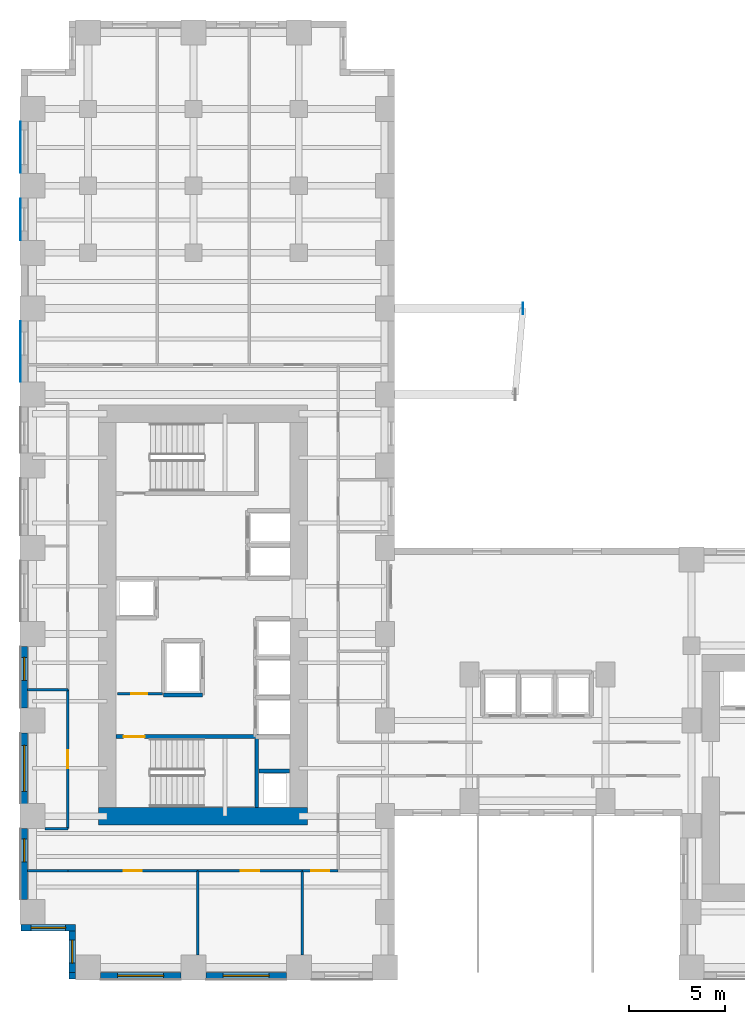
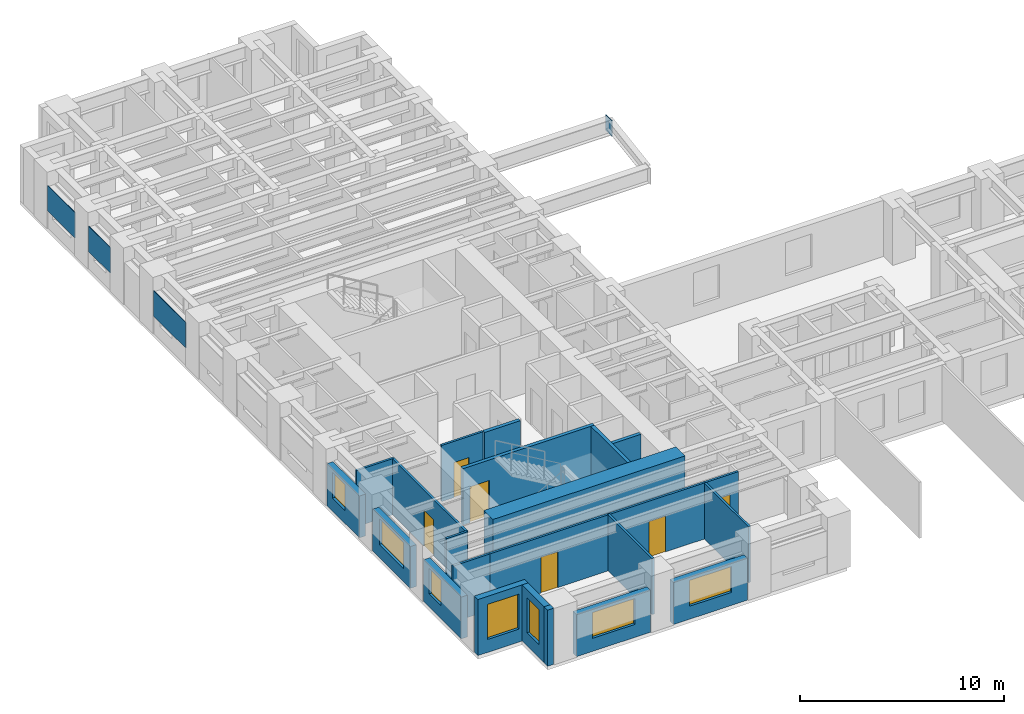
# One storey, part 6 of 14: 23 walls, 7 windows, 6 doors, 4 plates, 13 openings.
"""IFC4 building model written with IfcOpenShell, lengths in metres."""

from ifc_helpers import new_model, si_unit, direction, frame, frame_2d, origin, origin_2d, place, context, subcontext, project, spatial, rectangle, extrude, source, transform, mapped, material, layer, layer_set, type_object, element, fill, save


model = new_model("IFC4")

# Units and contexts
model_context = context("Model", 3, precision=1e-05, world=origin(), true_north=direction((0.0, 1.0)))
body_context = subcontext(model_context, "Body", "Model", "MODEL_VIEW")
ifc_project = project(units=[si_unit("LENGTHUNIT", "METRE"), si_unit("AREAUNIT", "SQUARE_METRE"), si_unit("VOLUMEUNIT", "CUBIC_METRE"), si_unit("PLANEANGLEUNIT", "RADIAN"), si_unit("MASSUNIT", "GRAM", prefix="KILO")], contexts=[model_context])

# Site, building, storey
site_placement = place(None, origin())
site = spatial("IfcSite", under=ifc_project, at=site_placement, CompositionType="ELEMENT")
building_placement = place(site_placement, origin())
building = spatial("IfcBuilding", under=site, at=building_placement, Name="Kharzan Plaza Tower", CompositionType="ELEMENT")
storey_placement = place(building_placement, frame((0.0, 0.0, 36.89990234375)))
storey = spatial("IfcBuildingStorey", under=building, at=storey_placement, Name="L09", CompositionType="ELEMENT", Elevation=36.89990234375)

# Plates
ifc_material_1 = material(Name="Steel S460", Category="steel")
ifc_layer_1 = layer(ifc_material_1, 0.0419921875)
ifc_layer_set_1 = layer_set([ifc_layer_1], Name="Steel S460")
plate_type_1 = type_object("IfcPlateType", Name="PLT-ZTN1", PredefinedType="USERDEFINED", material=ifc_layer_set_1)
shared_shape_1 = source(origin(), body_context, "Body", "SweptSolid", [
    extrude(rectangle(XDim=0.60009765625, YDim=0.0419921875, at=origin_2d()), origin(), (0.0, 0.0, 1.0), 0.949951171875),
])
plate_1_placement = place(storey_placement, frame((26.199951171875, 35.0, 2.4365234375), z_axis=(0.0, 0.0, 1.0), x_axis=(0.0, 1.0, 0.0)))
element("IfcPlate", 1, at=plate_1_placement, inside=storey, type_object=plate_type_1, Name="L09 Sky-Terrace Cantilever Tip Plate ZTN1", ObjectType="FLANGE_PLATE", PredefinedType="USERDEFINED", context=body_context, shape_type="MappedRepresentation", body=[
    mapped(shared_shape_1, transform((0.0, 0.0, 0.0), x_axis=(1.0, 0.0, 0.0), y_axis=(0.0, 1.0, 0.0), z_axis=(0.0, 0.0, 1.0))),
])
ifc_material_2 = material(Name="Perforated Bronze-Anodized Aluminium", Category="aluminium")
ifc_layer_2 = layer(ifc_material_2, 0.030029296875)
ifc_layer_set_2 = layer_set([ifc_layer_2], Name="Perforated Bronze-Anodized Aluminium")
plate_type_2 = type_object("IfcPlateType", Name="PLT-MASH-SCREEN", PredefinedType="SHEET", material=ifc_layer_set_2)
shared_shape_2 = source(origin(), body_context, "Body", "SweptSolid", [
    extrude(rectangle(XDim=2.6640625, YDim=0.030029296875, at=origin_2d()), origin(), (0.0, 0.0, 1.0), 1.530029296875),
])
plate_2_placement = place(storey_placement, frame((-0.012939453125, 43.39990234375, 1.06494140625), z_axis=(0.0, 0.0, 1.0), x_axis=(0.0, -1.0, 0.0)))
element("IfcPlate", 2, at=plate_2_placement, inside=storey, type_object=plate_type_2, Name="L09 Perforated Mashrabiya Solar Screen", PredefinedType="SHEET", context=body_context, shape_type="MappedRepresentation", body=[
    mapped(shared_shape_2, transform((0.0, 0.0, 0.0), x_axis=(1.0, 0.0, 0.0), y_axis=(0.0, 1.0, 0.0), z_axis=(0.0, 0.0, 1.0))),
])
shared_shape_3 = source(origin(), body_context, "Body", "SweptSolid", [
    extrude(rectangle(XDim=2.1640625, YDim=0.030029296875, at=origin_2d()), origin(), (0.0, 0.0, 1.0), 1.530029296875),
])
plate_3_placement = place(storey_placement, frame((-0.012939453125, 39.64990234375, 1.06494140625), z_axis=(0.0, 0.0, 1.0), x_axis=(0.0, -1.0, 0.0)))
element("IfcPlate", 3, at=plate_3_placement, inside=storey, type_object=plate_type_2, Name="L09 Perforated Mashrabiya Solar Screen", PredefinedType="SHEET", context=body_context, shape_type="MappedRepresentation", body=[
    mapped(shared_shape_3, transform((0.0, 0.0, 0.0), x_axis=(1.0, 0.0, 0.0), y_axis=(0.0, 1.0, 0.0), z_axis=(0.0, 0.0, 1.0))),
])
shared_shape_4 = source(origin(), body_context, "Body", "SweptSolid", [
    extrude(rectangle(XDim=3.1640625, YDim=0.030029296875, at=origin_2d()), origin(), (0.0, 0.0, 1.0), 1.530029296875),
])
plate_4_placement = place(storey_placement, frame((-0.012939453125, 32.75, 1.06494140625), z_axis=(0.0, 0.0, 1.0), x_axis=(0.0, -1.0, 0.0)))
element("IfcPlate", 4, at=plate_4_placement, inside=storey, type_object=plate_type_2, Name="L09 Perforated Mashrabiya Solar Screen", PredefinedType="SHEET", context=body_context, shape_type="MappedRepresentation", body=[
    mapped(shared_shape_4, transform((0.0, 0.0, 0.0), x_axis=(1.0, 0.0, 0.0), y_axis=(0.0, 1.0, 0.0), z_axis=(0.0, 0.0, 1.0))),
])

# Wall, opening, window
ifc_material_3 = material(Name="Concrete C40/50", Category="concrete")
ifc_layer_3 = layer(ifc_material_3, 0.35009765625)
ifc_layer_set_3 = layer_set([ifc_layer_3], Name="Concrete C40/50")
wall_type_1 = type_object("IfcWallType", Name="WL-EXT-MAS-Z1", PredefinedType="SOLIDWALL", material=ifc_layer_set_3)
wall_1_placement = place(storey_placement, frame((0.175048828125, 17.35205078125, 0.0), z_axis=(0.0, 0.0, 1.0), x_axis=(0.0, -1.0, 0.0)))
wall_1 = element("IfcWall", 5, at=wall_1_placement, inside=storey, type_object=wall_type_1, Name="L09 Masonry-Frame Exterior Wall 17", PredefinedType="SOLIDWALL", context=body_context, shape_type="SweptSolid", body=[
    extrude(rectangle(XDim=3.2041015625, YDim=0.35009765625, at=frame_2d((1.60205078125, 0.0))), origin(), (0.0, 0.0, 1.0), 2.510009765625),
])
opening_1_placement = place(wall_1_placement, frame((0.56103515625, 0.0, 0.780029296875)))
opening_1 = element("IfcOpeningElement", 6, at=opening_1_placement, cuts=wall_1, Name="Opening W3", PredefinedType="OPENING", context=body_context, shape_type="SweptSolid", body=[
    extrude(rectangle(XDim=1.199951171875, YDim=1.550048828125, at=frame_2d((0.60009765625, 0.77490234375))), frame((0.0, 0.18505859375, 0.0), z_axis=(0.0, -1.0, 0.0), x_axis=(1.0, 0.0, 0.0)), (0.0, 0.0, 1.0), 0.3701171875),
])
ifc_material_4 = material(Name="Low-E Double Glazing", Category="glass")
window_type_1 = type_object("IfcWindowType", Name="WN-REC-1200x2100", PartitioningType="SINGLE_PANEL", PredefinedType="WINDOW", material=ifc_material_4)
shared_shape_5 = source(origin(), body_context, "Body", "SweptSolid", [
    extrude(rectangle(XDim=1.199951171875, YDim=1.550048828125, at=frame_2d((0.60009765625, 0.77490234375))), frame((0.0, 0.030029296875, 0.0), z_axis=(0.0, -1.0, 0.0), x_axis=(1.0, 0.0, 0.0)), (0.0, 0.0, 1.0), 0.06005859375),
])
window_1_placement = place(opening_1_placement, origin())
window_1 = element("IfcWindow", 7, at=window_1_placement, inside=storey, type_object=window_type_1, Name="L09 Recessed Solar-Control Window 17-1", OverallHeight=1.550048828125, OverallWidth=1.199951171875, PartitioningType="SINGLE_PANEL", PredefinedType="WINDOW", context=body_context, shape_type="MappedRepresentation", body=[
    mapped(shared_shape_5, transform((0.0, 0.0, 0.0), x_axis=(1.0, 0.0, 0.0), y_axis=(0.0, 1.0, 0.0), z_axis=(0.0, 0.0, 1.0))),
])
fill(opening_1, window_1)

wall_2_placement = place(storey_placement, frame((0.175048828125, 12.85205078125, 0.0), z_axis=(0.0, 0.0, 1.0), x_axis=(0.0, -1.0, 0.0)))
wall_2 = element("IfcWall", 8, at=wall_2_placement, inside=storey, type_object=wall_type_1, Name="L09 Masonry-Frame Exterior Wall 18", PredefinedType="SOLIDWALL", context=body_context, shape_type="SweptSolid", body=[
    extrude(rectangle(XDim=3.7041015625, YDim=0.35009765625, at=frame_2d((1.85205078125, 0.0))), origin(), (0.0, 0.0, 1.0), 2.510009765625),
])
opening_2_placement = place(wall_2_placement, frame((0.652099609375, 0.0, 0.780029296875)))
opening_2 = element("IfcOpeningElement", 9, at=opening_2_placement, cuts=wall_2, Name="Opening W2", PredefinedType="OPENING", context=body_context, shape_type="SweptSolid", body=[
    extrude(rectangle(XDim=2.39990234375, YDim=1.550048828125, at=frame_2d((1.199951171875, 0.77490234375))), frame((0.0, 0.18505859375, 0.0), z_axis=(0.0, -1.0, 0.0), x_axis=(1.0, 0.0, 0.0)), (0.0, 0.0, 1.0), 0.3701171875),
])
window_type_2 = type_object("IfcWindowType", Name="WN-REC-2400x2100", PartitioningType="SINGLE_PANEL", PredefinedType="WINDOW", material=ifc_material_4)
shared_shape_6 = source(origin(), body_context, "Body", "SweptSolid", [
    extrude(rectangle(XDim=2.39990234375, YDim=1.550048828125, at=frame_2d((1.199951171875, 0.77490234375))), frame((0.0, 0.030029296875, 0.0), z_axis=(0.0, -1.0, 0.0), x_axis=(1.0, 0.0, 0.0)), (0.0, 0.0, 1.0), 0.06005859375),
])
window_2_placement = place(opening_2_placement, origin())
window_2 = element("IfcWindow", 10, at=window_2_placement, inside=storey, type_object=window_type_2, Name="L09 Wide Recessed Solar-Control Window 18-1", OverallHeight=1.550048828125, OverallWidth=2.39990234375, PartitioningType="SINGLE_PANEL", PredefinedType="WINDOW", context=body_context, shape_type="MappedRepresentation", body=[
    mapped(shared_shape_6, transform((0.0, 0.0, 0.0), x_axis=(1.0, 0.0, 0.0), y_axis=(0.0, 1.0, 0.0), z_axis=(0.0, 0.0, 1.0))),
])
fill(opening_2, window_2)

wall_3_placement = place(storey_placement, frame((0.175048828125, 7.85205078125, 0.0), z_axis=(0.0, 0.0, 1.0), x_axis=(0.0, -1.0, 0.0)))
wall_3 = element("IfcWall", 11, at=wall_3_placement, inside=storey, type_object=wall_type_1, Name="L09 Masonry-Frame Exterior Wall 19", PredefinedType="SOLIDWALL", context=body_context, shape_type="SweptSolid", body=[
    extrude(rectangle(XDim=3.7041015625, YDim=0.35009765625, at=frame_2d((1.85205078125, 0.0))), origin(), (0.0, 0.0, 1.0), 2.510009765625),
])
opening_3_placement = place(wall_3_placement, frame((0.535888671875, 0.0, 0.780029296875)))
opening_3 = element("IfcOpeningElement", 12, at=opening_3_placement, cuts=wall_3, Name="Opening W3", PredefinedType="OPENING", context=body_context, shape_type="SweptSolid", body=[
    extrude(rectangle(XDim=1.199951171875, YDim=1.550048828125, at=frame_2d((0.60009765625, 0.77490234375))), frame((0.0, 0.18505859375, 0.0), z_axis=(0.0, -1.0, 0.0), x_axis=(1.0, 0.0, 0.0)), (0.0, 0.0, 1.0), 0.3701171875),
])
window_3_placement = place(opening_3_placement, origin())
window_3 = element("IfcWindow", 13, at=window_3_placement, inside=storey, type_object=window_type_1, Name="L09 Recessed Solar-Control Window 19-1", OverallHeight=1.550048828125, OverallWidth=1.199951171875, PartitioningType="SINGLE_PANEL", PredefinedType="WINDOW", context=body_context, shape_type="MappedRepresentation", body=[
    mapped(shared_shape_5, transform((0.0, 0.0, 0.0), x_axis=(1.0, 0.0, 0.0), y_axis=(0.0, 1.0, 0.0), z_axis=(0.0, 0.0, 1.0))),
])
fill(opening_3, window_3)

wall_4_placement = place(storey_placement, frame((0.0, 2.675048828125, 0.0), z_axis=(0.0, 0.0, 1.0), x_axis=(1.0, 0.0, 0.0)))
wall_4 = element("IfcWall", 14, at=wall_4_placement, inside=storey, type_object=wall_type_1, Name="L09 Masonry-Frame Exterior Wall 20", PredefinedType="SOLIDWALL", context=body_context, shape_type="SweptSolid", body=[
    extrude(rectangle(XDim=2.85009765625, YDim=0.35009765625, at=frame_2d((1.425048828125, 0.0))), origin(), (0.0, 0.0, 1.0), 3.364990234375),
])
opening_4_placement = place(wall_4_placement, frame((0.52490234375, 0.0, 0.780029296875)))
opening_4 = element("IfcOpeningElement", 15, at=opening_4_placement, cuts=wall_4, Name="Opening W1", PredefinedType="OPENING", context=body_context, shape_type="SweptSolid", body=[
    extrude(rectangle(XDim=1.800048828125, YDim=2.10009765625, at=frame_2d((0.89990234375, 1.050048828125))), frame((0.0, 0.18505859375, 0.0), z_axis=(0.0, -1.0, 0.0), x_axis=(1.0, 0.0, 0.0)), (0.0, 0.0, 1.0), 0.3701171875),
])
window_type_3 = type_object("IfcWindowType", Name="WN-REC-1800x2100", PartitioningType="SINGLE_PANEL", PredefinedType="WINDOW", material=ifc_material_4)
shared_shape_7 = source(origin(), body_context, "Body", "SweptSolid", [
    extrude(rectangle(XDim=1.800048828125, YDim=2.10009765625, at=frame_2d((0.89990234375, 1.050048828125))), frame((0.0, 0.030029296875, 0.0), z_axis=(0.0, -1.0, 0.0), x_axis=(1.0, 0.0, 0.0)), (0.0, 0.0, 1.0), 0.06005859375),
])
window_4_placement = place(opening_4_placement, origin())
window_4 = element("IfcWindow", 16, at=window_4_placement, inside=storey, type_object=window_type_3, Name="L09 Recessed Solar-Control Window 20-1", OverallHeight=2.10009765625, OverallWidth=1.800048828125, PartitioningType="SINGLE_PANEL", PredefinedType="WINDOW", context=body_context, shape_type="MappedRepresentation", body=[
    mapped(shared_shape_7, transform((0.0, 0.0, 0.0), x_axis=(1.0, 0.0, 0.0), y_axis=(0.0, 1.0, 0.0), z_axis=(0.0, 0.0, 1.0))),
])
fill(opening_4, window_4)

wall_5_placement = place(storey_placement, frame((2.675048828125, 2.501953125, 0.0), z_axis=(0.0, 0.0, 1.0), x_axis=(0.0, -1.0, 0.0)))
wall_5 = element("IfcWall", 17, at=wall_5_placement, inside=storey, type_object=wall_type_1, Name="L09 Masonry-Frame Exterior Wall 21", PredefinedType="SOLIDWALL", context=body_context, shape_type="SweptSolid", body=[
    extrude(rectangle(XDim=2.154052734375, YDim=0.35009765625, at=frame_2d((1.0771484375, 0.0))), origin(), (0.0, 0.0, 1.0), 3.364990234375),
])
opening_5_placement = place(wall_5_placement, frame((0.47705078125, 0.0, 0.780029296875)))
opening_5 = element("IfcOpeningElement", 18, at=opening_5_placement, cuts=wall_5, Name="Opening W3", PredefinedType="OPENING", context=body_context, shape_type="SweptSolid", body=[
    extrude(rectangle(XDim=1.199951171875, YDim=2.10009765625, at=frame_2d((0.60009765625, 1.050048828125))), frame((0.0, 0.18505859375, 0.0), z_axis=(0.0, -1.0, 0.0), x_axis=(1.0, 0.0, 0.0)), (0.0, 0.0, 1.0), 0.3701171875),
])
shared_shape_8 = source(origin(), body_context, "Body", "SweptSolid", [
    extrude(rectangle(XDim=1.199951171875, YDim=2.10009765625, at=frame_2d((0.60009765625, 1.050048828125))), frame((0.0, 0.030029296875, 0.0), z_axis=(0.0, -1.0, 0.0), x_axis=(1.0, 0.0, 0.0)), (0.0, 0.0, 1.0), 0.06005859375),
])
window_5_placement = place(opening_5_placement, origin())
window_5 = element("IfcWindow", 19, at=window_5_placement, inside=storey, type_object=window_type_1, Name="L09 Recessed Solar-Control Window 21-1", OverallHeight=2.10009765625, OverallWidth=1.199951171875, PartitioningType="SINGLE_PANEL", PredefinedType="WINDOW", context=body_context, shape_type="MappedRepresentation", body=[
    mapped(shared_shape_8, transform((0.0, 0.0, 0.0), x_axis=(1.0, 0.0, 0.0), y_axis=(0.0, 1.0, 0.0), z_axis=(0.0, 0.0, 1.0))),
])
fill(opening_5, window_5)

wall_6_placement = place(storey_placement, frame((4.14794921875, 0.175048828125, 0.0), z_axis=(0.0, 0.0, 1.0), x_axis=(1.0, 0.0, 0.0)))
wall_6 = element("IfcWall", 20, at=wall_6_placement, inside=storey, type_object=wall_type_1, Name="L09 Masonry-Frame Exterior Wall 23", PredefinedType="SOLIDWALL", context=body_context, shape_type="SweptSolid", body=[
    extrude(rectangle(XDim=4.2041015625, YDim=0.35009765625, at=frame_2d((2.10205078125, 0.0))), origin(), (0.0, 0.0, 1.0), 2.510009765625),
])
opening_6_placement = place(wall_6_placement, frame((0.902099609375, 0.0, 0.780029296875)))
opening_6 = element("IfcOpeningElement", 21, at=opening_6_placement, cuts=wall_6, Name="Opening W2", PredefinedType="OPENING", context=body_context, shape_type="SweptSolid", body=[
    extrude(rectangle(XDim=2.39990234375, YDim=1.550048828125, at=frame_2d((1.199951171875, 0.77490234375))), frame((0.0, 0.18505859375, 0.0), z_axis=(0.0, -1.0, 0.0), x_axis=(1.0, 0.0, 0.0)), (0.0, 0.0, 1.0), 0.3701171875),
])
window_6_placement = place(opening_6_placement, origin())
window_6 = element("IfcWindow", 22, at=window_6_placement, inside=storey, type_object=window_type_2, Name="L09 Wide Recessed Solar-Control Window 23-1", OverallHeight=1.550048828125, OverallWidth=2.39990234375, PartitioningType="SINGLE_PANEL", PredefinedType="WINDOW", context=body_context, shape_type="MappedRepresentation", body=[
    mapped(shared_shape_6, transform((0.0, 0.0, 0.0), x_axis=(1.0, 0.0, 0.0), y_axis=(0.0, 1.0, 0.0), z_axis=(0.0, 0.0, 1.0))),
])
fill(opening_6, window_6)

wall_7_placement = place(storey_placement, frame((9.64794921875, 0.175048828125, 0.0), z_axis=(0.0, 0.0, 1.0), x_axis=(1.0, 0.0, 0.0)))
wall_7 = element("IfcWall", 23, at=wall_7_placement, inside=storey, type_object=wall_type_1, Name="L09 Masonry-Frame Exterior Wall 24", PredefinedType="SOLIDWALL", context=body_context, shape_type="SweptSolid", body=[
    extrude(rectangle(XDim=4.2041015625, YDim=0.35009765625, at=frame_2d((2.10205078125, 0.0))), origin(), (0.0, 0.0, 1.0), 2.510009765625),
])
opening_7_placement = place(wall_7_placement, frame((0.902099609375, 0.0, 0.780029296875)))
opening_7 = element("IfcOpeningElement", 24, at=opening_7_placement, cuts=wall_7, Name="Opening W2", PredefinedType="OPENING", context=body_context, shape_type="SweptSolid", body=[
    extrude(rectangle(XDim=2.39990234375, YDim=1.550048828125, at=frame_2d((1.199951171875, 0.77490234375))), frame((0.0, 0.18505859375, 0.0), z_axis=(0.0, -1.0, 0.0), x_axis=(1.0, 0.0, 0.0)), (0.0, 0.0, 1.0), 0.3701171875),
])
window_7_placement = place(opening_7_placement, origin())
window_7 = element("IfcWindow", 25, at=window_7_placement, inside=storey, type_object=window_type_2, Name="L09 Wide Recessed Solar-Control Window 24-1", OverallHeight=1.550048828125, OverallWidth=2.39990234375, PartitioningType="SINGLE_PANEL", PredefinedType="WINDOW", context=body_context, shape_type="MappedRepresentation", body=[
    mapped(shared_shape_6, transform((0.0, 0.0, 0.0), x_axis=(1.0, 0.0, 0.0), y_axis=(0.0, 1.0, 0.0), z_axis=(0.0, 0.0, 1.0))),
])
fill(opening_7, window_7)

# Wall, opening, door
ifc_material_5 = material(Name="Fire-Rated Gypsum Board Partition", Category="gypsum")
ifc_layer_4 = layer(ifc_material_5, 0.125)
ifc_layer_set_4 = layer_set([ifc_layer_4], Name="Fire-Rated Gypsum Board Partition")
wall_type_2 = type_object("IfcWallType", Name="WL-INT-PART-125", PredefinedType="PARTITIONING", material=ifc_layer_set_4)
wall_8_placement = place(storey_placement, frame((5.050048828125, 14.8798828125, 0.0), z_axis=(0.0, 0.0, 1.0), x_axis=(1.0, 0.0, 0.0)))
wall_8 = element("IfcWall", 26, at=wall_8_placement, inside=storey, type_object=wall_type_2, Name="L09 Interior Partition CA-K0", PredefinedType="PARTITIONING", context=body_context, shape_type="SweptSolid", body=[
    extrude(rectangle(XDim=2.349853515625, YDim=0.125, at=frame_2d((1.1748046875, 0.0))), origin(), (0.0, 0.0, 1.0), 3.364990234375),
])
opening_8_placement = place(wall_8_placement, frame((0.699951171875, 0.0, 0.0)))
opening_8 = element("IfcOpeningElement", 27, at=opening_8_placement, cuts=wall_8, Name="Opening RD1", PredefinedType="OPENING", context=body_context, shape_type="SweptSolid", body=[
    extrude(rectangle(XDim=0.85009765625, YDim=2.10009765625, at=frame_2d((0.425048828125, 1.050048828125))), frame((0.0, 0.072509765625, 0.0), z_axis=(0.0, -1.0, 0.0), x_axis=(1.0, 0.0, 0.0)), (0.0, 0.0, 1.0), 0.14501953125),
])
ifc_material_6 = material(Name="Powder-Coated Fire-Rated Steel", Category="steel")
door_type_1 = type_object("IfcDoorType", Name="DR-RISER-900", OperationType="NOTDEFINED", PredefinedType="DOOR", material=ifc_material_6)
shared_shape_9 = source(origin(), body_context, "Body", "SweptSolid", [
    extrude(rectangle(XDim=0.85009765625, YDim=2.10009765625, at=frame_2d((0.425048828125, 1.050048828125))), frame((0.0, 0.02490234375, 0.0), z_axis=(0.0, -1.0, 0.0), x_axis=(1.0, 0.0, 0.0)), (0.0, 0.0, 1.0), 0.050048828125),
])
door_1_placement = place(opening_8_placement, origin())
door_1 = element("IfcDoor", 28, at=door_1_placement, inside=storey, type_object=door_type_1, Name="L09 Cleaners Store Door", OperationType="SINGLE_SWING_RIGHT", OverallHeight=2.10009765625, OverallWidth=0.85009765625, PredefinedType="DOOR", context=body_context, shape_type="MappedRepresentation", body=[
    mapped(shared_shape_9, transform((0.0, 0.0, 0.0), x_axis=(1.0, 0.0, 0.0), y_axis=(0.0, 1.0, 0.0), z_axis=(0.0, 0.0, 1.0))),
])
fill(opening_8, door_1)

wall_9_placement = place(storey_placement, frame((2.449951171875, 5.64990234375, 0.0), z_axis=(0.0, 0.0, 1.0), x_axis=(1.0, 0.0, 0.0)))
wall_9 = element("IfcWall", 29, at=wall_9_placement, inside=storey, type_object=wall_type_2, Name="L09 Interior Partition SH-SS-1", PredefinedType="PARTITIONING", context=body_context, shape_type="SweptSolid", body=[
    extrude(rectangle(XDim=6.77001953125, YDim=0.125, at=frame_2d((3.385009765625, 0.0))), origin(), (0.0, 0.0, 1.0), 3.364990234375),
])
opening_9_placement = place(wall_9_placement, frame((2.909912109375, 0.0, 0.0)))
opening_9 = element("IfcOpeningElement", 30, at=opening_9_placement, cuts=wall_9, Name="Opening OD1", PredefinedType="OPENING", context=body_context, shape_type="SweptSolid", body=[
    extrude(rectangle(XDim=0.949951171875, YDim=2.14990234375, at=frame_2d((0.47509765625, 1.074951171875))), frame((0.0, 0.072509765625, 0.0), z_axis=(0.0, -1.0, 0.0), x_axis=(1.0, 0.0, 0.0)), (0.0, 0.0, 1.0), 0.14501953125),
])
ifc_material_7 = material(Name="Acoustic Solid-Core Stained Oak", Category="timber")
door_type_2 = type_object("IfcDoorType", Name="DR-OFF-SINGLE", OperationType="NOTDEFINED", PredefinedType="DOOR", material=ifc_material_7)
shared_shape_10 = source(origin(), body_context, "Body", "SweptSolid", [
    extrude(rectangle(XDim=0.949951171875, YDim=2.14990234375, at=frame_2d((0.47509765625, 1.074951171875))), frame((0.0, 0.02490234375, 0.0), z_axis=(0.0, -1.0, 0.0), x_axis=(1.0, 0.0, 0.0)), (0.0, 0.0, 1.0), 0.050048828125),
])
door_2_placement = place(opening_9_placement, origin())
door_2 = element("IfcDoor", 31, at=door_2_placement, inside=storey, type_object=door_type_2, Name="L09 Research Engineering Office Door", OperationType="SINGLE_SWING_RIGHT", OverallHeight=2.14990234375, OverallWidth=0.949951171875, PredefinedType="DOOR", context=body_context, shape_type="MappedRepresentation", body=[
    mapped(shared_shape_10, transform((0.0, 0.0, 0.0), x_axis=(1.0, 0.0, 0.0), y_axis=(0.0, 1.0, 0.0), z_axis=(0.0, 0.0, 1.0))),
])
fill(opening_9, door_2)

wall_10_placement = place(storey_placement, frame((9.219970703125, 5.64990234375, 0.0), z_axis=(0.0, 0.0, 1.0), x_axis=(1.0, 0.0, 0.0)))
wall_10 = element("IfcWall", 32, at=wall_10_placement, inside=storey, type_object=wall_type_2, Name="L09 Interior Partition SH-SS-2", PredefinedType="PARTITIONING", context=body_context, shape_type="SweptSolid", body=[
    extrude(rectangle(XDim=5.4609375, YDim=0.125, at=frame_2d((2.73046875, 0.0))), origin(), (0.0, 0.0, 1.0), 3.364990234375),
])
opening_10_placement = place(wall_10_placement, frame((2.255615234375, 0.0, 0.0)))
opening_10 = element("IfcOpeningElement", 33, at=opening_10_placement, cuts=wall_10, Name="Opening OD1", PredefinedType="OPENING", context=body_context, shape_type="SweptSolid", body=[
    extrude(rectangle(XDim=0.949951171875, YDim=2.14990234375, at=frame_2d((0.47509765625, 1.074951171875))), frame((0.0, 0.072509765625, 0.0), z_axis=(0.0, -1.0, 0.0), x_axis=(1.0, 0.0, 0.0)), (0.0, 0.0, 1.0), 0.14501953125),
])
door_3_placement = place(opening_10_placement, origin())
door_3 = element("IfcDoor", 34, at=door_3_placement, inside=storey, type_object=door_type_2, Name="L09 Lab Safety Briefing Room Door", OperationType="SINGLE_SWING_LEFT", OverallHeight=2.14990234375, OverallWidth=0.949951171875, PredefinedType="DOOR", context=body_context, shape_type="MappedRepresentation", body=[
    mapped(shared_shape_10, transform((0.0, 0.0, 0.0), x_axis=(1.0, 0.0, 0.0), y_axis=(0.0, 1.0, 0.0), z_axis=(0.0, 0.0, 1.0))),
])
fill(opening_10, door_3)

wall_11_placement = place(storey_placement, frame((14.680908203125, 5.64990234375, 0.0), z_axis=(0.0, 0.0, 1.0), x_axis=(1.0, 0.0, 0.0)))
wall_11 = element("IfcWall", 35, at=wall_11_placement, inside=storey, type_object=wall_type_2, Name="L09 Interior Partition SH-SS-3", PredefinedType="PARTITIONING", context=body_context, shape_type="SweptSolid", body=[
    extrude(rectangle(XDim=1.869140625, YDim=0.125, at=frame_2d((0.9345703125, 0.0))), origin(), (0.0, 0.0, 1.0), 3.364990234375),
])
opening_11_placement = place(wall_11_placement, frame((0.45947265625, 0.0, 0.0)))
opening_11 = element("IfcOpeningElement", 36, at=opening_11_placement, cuts=wall_11, Name="Opening OD1", PredefinedType="OPENING", context=body_context, shape_type="SweptSolid", body=[
    extrude(rectangle(XDim=0.949951171875, YDim=2.14990234375, at=frame_2d((0.47509765625, 1.074951171875))), frame((0.0, 0.072509765625, 0.0), z_axis=(0.0, -1.0, 0.0), x_axis=(1.0, 0.0, 0.0)), (0.0, 0.0, 1.0), 0.14501953125),
])
door_4_placement = place(opening_11_placement, origin())
door_4 = element("IfcDoor", 37, at=door_4_placement, inside=storey, type_object=door_type_2, Name="L09 Data Processing Office Door", OperationType="SINGLE_SWING_RIGHT", OverallHeight=2.14990234375, OverallWidth=0.949951171875, PredefinedType="DOOR", context=body_context, shape_type="MappedRepresentation", body=[
    mapped(shared_shape_10, transform((0.0, 0.0, 0.0), x_axis=(1.0, 0.0, 0.0), y_axis=(0.0, 1.0, 0.0), z_axis=(0.0, 0.0, 1.0))),
])
fill(opening_11, door_4)

wall_12_placement = place(storey_placement, frame((2.449951171875, 7.85009765625, 0.0), z_axis=(0.0, 0.0, 1.0), x_axis=(0.0, 1.0, 0.0)))
wall_12 = element("IfcWall", 38, at=wall_12_placement, inside=storey, type_object=wall_type_2, Name="L09 Interior Partition SH-WW-1", PredefinedType="PARTITIONING", context=body_context, shape_type="SweptSolid", body=[
    extrude(rectangle(XDim=7.25, YDim=0.125, at=frame_2d((3.625, 0.0))), origin(), (0.0, 0.0, 1.0), 3.364990234375),
])
opening_12_placement = place(wall_12_placement, frame((3.14990234375, 0.0, 0.0)))
opening_12 = element("IfcOpeningElement", 39, at=opening_12_placement, cuts=wall_12, Name="Opening OD1", PredefinedType="OPENING", context=body_context, shape_type="SweptSolid", body=[
    extrude(rectangle(XDim=0.949951171875, YDim=2.14990234375, at=frame_2d((0.47509765625, 1.074951171875))), frame((0.0, 0.072509765625, 0.0), z_axis=(0.0, -1.0, 0.0), x_axis=(1.0, 0.0, 0.0)), (0.0, 0.0, 1.0), 0.14501953125),
])
door_5_placement = place(opening_12_placement, origin())
door_5 = element("IfcDoor", 40, at=door_5_placement, inside=storey, type_object=door_type_2, Name="L09 Geological Archive Store Door", OperationType="SINGLE_SWING_LEFT", OverallHeight=2.14990234375, OverallWidth=0.949951171875, PredefinedType="DOOR", context=body_context, shape_type="MappedRepresentation", body=[
    mapped(shared_shape_10, transform((0.0, 0.0, 0.0), x_axis=(1.0, 0.0, 0.0), y_axis=(0.0, 1.0, 0.0), z_axis=(0.0, 0.0, 1.0))),
])
fill(opening_12, door_5)

ifc_material_8 = material(Name="Concrete C50/60", Category="concrete")
ifc_layer_5 = layer(ifc_material_8, 0.199951171875)
ifc_layer_set_5 = layer_set([ifc_layer_5], Name="Concrete C50/60")
wall_type_3 = type_object("IfcWallType", Name="WL-SHAFT-RC200", PredefinedType="SHEAR", material=ifc_layer_set_5)
wall_13_placement = place(storey_placement, frame((4.951904296875, 12.655029296875, 0.0), z_axis=(0.0, 0.0, 1.0), x_axis=(1.0, 0.0, 0.0)))
wall_13 = element("IfcWall", 41, at=wall_13_placement, inside=storey, type_object=wall_type_3, Name="L09 Stair ST-1 North RC Shaft Wall", PredefinedType="SHEAR", context=body_context, shape_type="SweptSolid", body=[
    extrude(rectangle(XDim=7.453125, YDim=0.199951171875, at=frame_2d((3.7265625, 0.0))), origin(), (0.0, 0.0, 1.0), 3.380126953125),
])
opening_13_placement = place(wall_13_placement, frame((0.39990234375, 0.0, 0.0)))
opening_13 = element("IfcOpeningElement", 42, at=opening_13_placement, cuts=wall_13, Name="Opening SD1", PredefinedType="OPENING", context=body_context, shape_type="SweptSolid", body=[
    extrude(rectangle(XDim=1.10009765625, YDim=2.14990234375, at=frame_2d((0.550048828125, 1.074951171875))), frame((0.0, 0.10986328125, 0.0), z_axis=(0.0, -1.0, 0.0), x_axis=(1.0, 0.0, 0.0)), (0.0, 0.0, 1.0), 0.219970703125),
])
ifc_material_9 = material(Name="Fire-Rated Hollow Galvanized Steel", Category="steel")
door_type_3 = type_object("IfcDoorType", Name="DR-STAIR-FD120", OperationType="NOTDEFINED", PredefinedType="DOOR", material=ifc_material_9)
shared_shape_11 = source(origin(), body_context, "Body", "SweptSolid", [
    extrude(rectangle(XDim=1.10009765625, YDim=2.14990234375, at=frame_2d((0.550048828125, 1.074951171875))), frame((0.0, 0.02490234375, 0.0), z_axis=(0.0, -1.0, 0.0), x_axis=(1.0, 0.0, 0.0)), (0.0, 0.0, 1.0), 0.050048828125),
])
door_6_placement = place(opening_13_placement, origin())
door_6 = element("IfcDoor", 43, at=door_6_placement, inside=storey, type_object=door_type_3, Name="L09 Stair ST-1 Fire Exit Door", OperationType="SINGLE_SWING_RIGHT", OverallHeight=2.14990234375, OverallWidth=1.10009765625, PredefinedType="DOOR", context=body_context, shape_type="MappedRepresentation", body=[
    mapped(shared_shape_11, transform((0.0, 0.0, 0.0), x_axis=(1.0, 0.0, 0.0), y_axis=(0.0, 1.0, 0.0), z_axis=(0.0, 0.0, 1.0))),
])
fill(opening_13, door_6)

# Walls
shared_shape_12 = source(origin(), body_context, "Body", "SweptSolid", [
    extrude(rectangle(XDim=0.35205078125, YDim=0.35009765625, at=frame_2d((0.176025390625, 0.0))), origin(), (0.0, 0.0, 1.0), 3.364990234375),
])
wall_14_placement = place(storey_placement, frame((2.5, 0.175048828125, 0.0), z_axis=(0.0, 0.0, 1.0), x_axis=(1.0, 0.0, 0.0)))
element("IfcWall", 44, at=wall_14_placement, inside=storey, type_object=wall_type_1, Name="L09 Masonry-Frame Exterior Wall 22", PredefinedType="SOLIDWALL", context=body_context, shape_type="MappedRepresentation", body=[
    mapped(shared_shape_12, transform((0.0, 0.0, 0.0), x_axis=(1.0, 0.0, 0.0), y_axis=(0.0, 1.0, 0.0), z_axis=(0.0, 0.0, 1.0))),
])
shared_shape_13 = source(origin(), body_context, "Body", "SweptSolid", [
    extrude(rectangle(XDim=1.18994140625, YDim=0.125, at=frame_2d((0.594970703125, 0.0))), origin(), (0.0, 0.0, 1.0), 3.364990234375),
])
wall_15_placement = place(storey_placement, frame((1.260009765625, 7.85009765625, 0.0), z_axis=(0.0, 0.0, 1.0), x_axis=(1.0, 0.0, 0.0)))
element("IfcWall", 45, at=wall_15_placement, inside=storey, type_object=wall_type_2, Name="L09 Interior Partition SH-RWS0", PredefinedType="PARTITIONING", context=body_context, shape_type="MappedRepresentation", body=[
    mapped(shared_shape_13, transform((0.0, 0.0, 0.0), x_axis=(1.0, 0.0, 0.0), y_axis=(0.0, 1.0, 0.0), z_axis=(0.0, 0.0, 1.0))),
])
ifc_layer_6 = layer(ifc_material_3, 0.199951171875)
ifc_layer_set_6 = layer_set([ifc_layer_6], Name="Concrete C40/50")
wall_type_4 = type_object("IfcWallType", Name="WL-INT-SHAFT-200", PredefinedType="PARTITIONING", material=ifc_layer_set_6)
shared_shape_14 = source(origin(), body_context, "Body", "SweptSolid", [
    extrude(rectangle(XDim=1.60009765625, YDim=0.199951171875, at=frame_2d((0.800048828125, 0.0))), origin(), (0.0, 0.0, 1.0), 3.364990234375),
])
wall_16_placement = place(storey_placement, frame((12.419921875, 10.85009765625, 0.0), z_axis=(0.0, 0.0, 1.0), x_axis=(1.0, 0.0, 0.0)))
element("IfcWall", 46, at=wall_16_placement, inside=storey, type_object=wall_type_4, Name="L09 Interior Partition CA-RSRA-N", PredefinedType="PARTITIONING", context=body_context, shape_type="MappedRepresentation", body=[
    mapped(shared_shape_14, transform((0.0, 0.0, 0.0), x_axis=(1.0, 0.0, 0.0), y_axis=(0.0, 1.0, 0.0), z_axis=(0.0, 0.0, 1.0))),
])
shared_shape_15 = source(origin(), body_context, "Body", "SweptSolid", [
    extrude(rectangle(XDim=2.0400390625, YDim=0.199951171875, at=frame_2d((1.02001953125, 0.0))), origin(), (0.0, 0.0, 1.0), 3.364990234375),
])
wall_17_placement = place(storey_placement, frame((7.429931640625, 14.830078125, 0.0), z_axis=(0.0, 0.0, 1.0), x_axis=(1.0, 0.0, 0.0)))
element("IfcWall", 47, at=wall_17_placement, inside=storey, type_object=wall_type_4, Name="L09 Interior Partition SHF-SVL-1-S", PredefinedType="PARTITIONING", context=body_context, shape_type="MappedRepresentation", body=[
    mapped(shared_shape_15, transform((0.0, 0.0, 0.0), x_axis=(1.0, 0.0, 0.0), y_axis=(0.0, 1.0, 0.0), z_axis=(0.0, 0.0, 1.0))),
])
shared_shape_16 = source(origin(), body_context, "Body", "SweptSolid", [
    extrude(rectangle(XDim=2.097900390625, YDim=0.125, at=frame_2d((1.048828125, 0.0))), origin(), (0.0, 0.0, 1.0), 3.364990234375),
])
for number, where, z_axis, x_axis, name in (
    (48, (0.35205078125, 5.64990234375, 0.0), (0.0, 0.0, 1.0), (1.0, 0.0, 0.0), "L09 Interior Partition SH-SS-EXT"),
    (49, (0.35205078125, 15.10009765625, 0.0), (0.0, 0.0, 1.0), (1.0, 0.0, 0.0), "L09 Interior Partition SH-WH-1"),
):
    element("IfcWall", number, at=place(storey_placement, frame(where, z_axis=z_axis, x_axis=x_axis)), inside=storey, type_object=wall_type_2, Name=name, PredefinedType="PARTITIONING", context=body_context, shape_type="MappedRepresentation", body=[
        mapped(shared_shape_16, transform((0.0, 0.0, 0.0), x_axis=(1.0, 0.0, 0.0), y_axis=(0.0, 1.0, 0.0), z_axis=(0.0, 0.0, 1.0))),
    ])
ifc_material_10 = material(Name="Concrete C60/75", Category="concrete")
ifc_layer_7 = layer(ifc_material_10, 0.89990234375)
ifc_layer_set_7 = layer_set([ifc_layer_7], Name="Concrete C60/75")
wall_type_5 = type_object("IfcWallType", Name="WL-CORE-900", PredefinedType="SHEAR", material=ifc_layer_set_7)
shared_shape_17 = source(origin(), body_context, "Body", "SweptSolid", [
    extrude(rectangle(XDim=10.89990234375, YDim=0.89990234375, at=frame_2d((5.449951171875, 0.0))), origin(), (0.0, 0.0, 1.0), 3.380126953125),
])
wall_18_placement = place(storey_placement, frame((4.050048828125, 8.5, 0.0), z_axis=(0.0, 0.0, 1.0), x_axis=(1.0, 0.0, 0.0)))
element("IfcWall", 50, at=wall_18_placement, inside=storey, type_object=wall_type_5, Name="L09 CORE-A south RC shear wall", PredefinedType="SHEAR", context=body_context, shape_type="MappedRepresentation", body=[
    mapped(shared_shape_17, transform((0.0, 0.0, 0.0), x_axis=(1.0, 0.0, 0.0), y_axis=(0.0, 1.0, 0.0), z_axis=(0.0, 0.0, 1.0))),
])
shared_shape_18 = source(origin(), body_context, "Body", "SweptSolid", [
    extrude(rectangle(XDim=3.60302734375, YDim=0.199951171875, at=frame_2d((1.801513671875, 0.0))), origin(), (0.0, 0.0, 1.0), 3.380126953125),
])
wall_19_placement = place(storey_placement, frame((12.304931640625, 8.951904296875, 0.0), z_axis=(0.0, 0.0, 1.0), x_axis=(0.0, 1.0, 0.0)))
element("IfcWall", 51, at=wall_19_placement, inside=storey, type_object=wall_type_3, Name="L09 Stair ST-1 East RC Shaft Wall", PredefinedType="SHEAR", context=body_context, shape_type="MappedRepresentation", body=[
    mapped(shared_shape_18, transform((0.0, 0.0, 0.0), x_axis=(1.0, 0.0, 0.0), y_axis=(0.0, 1.0, 0.0), z_axis=(0.0, 0.0, 1.0))),
])
shared_shape_19 = source(origin(), body_context, "Body", "SweptSolid", [
    extrude(rectangle(XDim=4.389892578125, YDim=0.125, at=frame_2d((2.19482421875, 0.0))), origin(), (0.0, 0.0, 1.0), 3.364990234375),
])
for number, where, z_axis, x_axis, name in (
    (52, (9.219970703125, 1.260009765625, 0.0), (0.0, 0.0, 1.0), (0.0, 1.0, 0.0), "L09 Interior Partition SH-SV-1"),
    (53, (14.680908203125, 1.260009765625, 0.0), (0.0, 0.0, 1.0), (0.0, 1.0, 0.0), "L09 Interior Partition SH-SV-2"),
):
    element("IfcWall", number, at=place(storey_placement, frame(where, z_axis=z_axis, x_axis=x_axis)), inside=storey, type_object=wall_type_2, Name=name, PredefinedType="PARTITIONING", context=body_context, shape_type="MappedRepresentation", body=[
        mapped(shared_shape_19, transform((0.0, 0.0, 0.0), x_axis=(1.0, 0.0, 0.0), y_axis=(0.0, 1.0, 0.0), z_axis=(0.0, 0.0, 1.0))),
    ])

save(model, "model.ifc")
